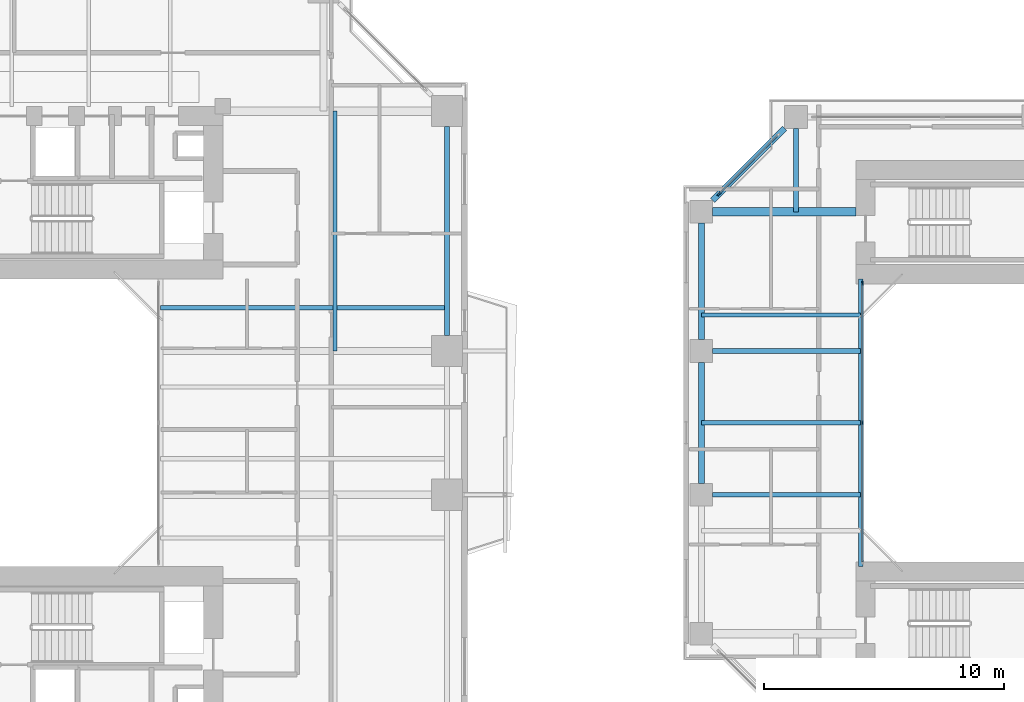
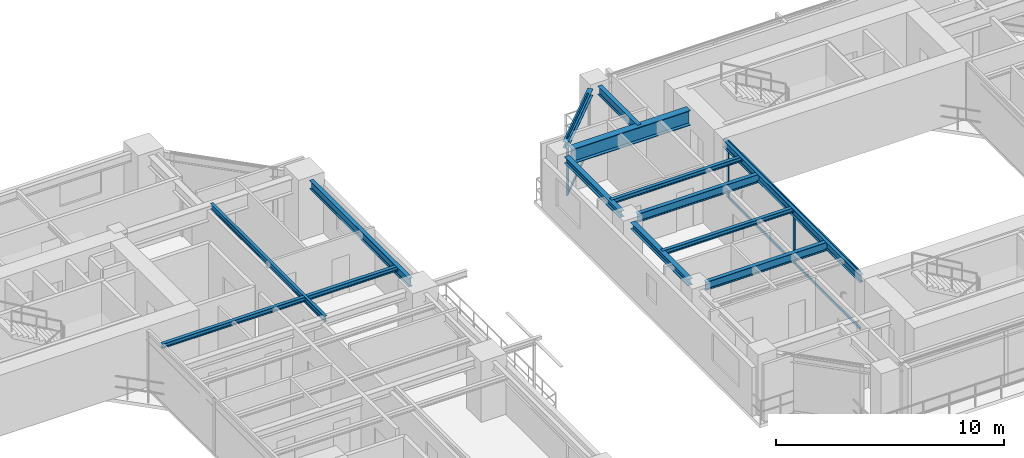
# One storey, part 8 of 23: 13 beams, 9 members, 2 elements without a shape of their own.
"""IFC4 building model written with IfcOpenShell, lengths in metres."""

from ifc_helpers import new_model, si_unit, direction, frame, origin, origin_2d, place, context, subcontext, project, spatial, rectangle, i_section, extrude, source, transform, mapped, material, layer, layer_set, material_profile, profile_set, type_object, element, aggregate, save


model = new_model("IFC4")

# Units and contexts
model_context = context("Model", 3, precision=1e-05, world=origin(), true_north=direction((0.0, 1.0)))
body_context = subcontext(model_context, "Body", "Model", "MODEL_VIEW")
ifc_project = project(units=[si_unit("LENGTHUNIT", "METRE"), si_unit("AREAUNIT", "SQUARE_METRE"), si_unit("VOLUMEUNIT", "CUBIC_METRE"), si_unit("PLANEANGLEUNIT", "RADIAN"), si_unit("MASSUNIT", "GRAM", prefix="KILO"), si_unit("THERMODYNAMICTEMPERATUREUNIT", "KELVIN"), si_unit("POWERUNIT", "WATT")], contexts=[model_context])

# Site, building, storey
site_placement = place(None, origin())
site = spatial("IfcSite", under=ifc_project, at=site_placement, CompositionType="ELEMENT")
building_placement = place(site_placement, origin())
building = spatial("IfcBuilding", under=site, at=building_placement, Name="Qiaomeng Ring Towers", CompositionType="ELEMENT")
storey_placement = place(building_placement, frame((0.0, 0.0, 29.5)))
storey = spatial("IfcBuildingStorey", under=building, at=storey_placement, Name="L07", CompositionType="ELEMENT", Elevation=29.5)

# Beams
ifc_material_1 = material(Name="Steel Q355B", Category="steel")
ifc_material_profile_1 = material_profile(ifc_material_1, i_section(OverallWidth=0.199951171875, OverallDepth=0.449951171875, WebThickness=0.009033203125, FlangeThickness=0.013916015625, FilletRadius=0.01806640625, at=origin_2d()), Name="HN 450x200x9x14")
ifc_profile_set_1 = profile_set([ifc_material_profile_1], Name="Steel Q355B")
beam_type_1 = type_object("IfcBeamType", Name="STR-BM-HN450", PredefinedType="SPANDREL", material=ifc_profile_set_1)
shared_shape_1 = source(origin(), body_context, "Body", "SweptSolid", [
    extrude(i_section(OverallWidth=0.199951171875, OverallDepth=0.449951171875, WebThickness=0.009033203125, FlangeThickness=0.013916015625, FilletRadius=0.01806640625, at=origin_2d()), origin(), (0.0, 0.0, 1.0), 8.7021484375),
])
beam_1_placement = place(storey_placement, frame((37.14990234375, 26.64892578125, 2.844970703125), z_axis=(0.0, 1.0, 0.0), x_axis=(-1.0, 0.0, 0.0)))
element("IfcBeam", 1, at=beam_1_placement, inside=storey, type_object=beam_type_1, Name="L07 beam STR-SP-L07-T1-E3-E4", PredefinedType="SPANDREL", context=body_context, shape_type="MappedRepresentation", body=[
    mapped(shared_shape_1, transform((0.0, 0.0, 0.0), x_axis=(1.0, 0.0, 0.0), y_axis=(0.0, 1.0, 0.0), z_axis=(0.0, 0.0, 1.0), scale=1.0)),
])
ifc_material_profile_2 = material_profile(ifc_material_1, i_section(OverallWidth=0.25, OverallDepth=0.340087890625, WebThickness=0.009033203125, FlangeThickness=0.013916015625, FilletRadius=0.02001953125, at=origin_2d()), Name="HM 340x250x9x14")
ifc_profile_set_2 = profile_set([ifc_material_profile_2], Name="Steel Q355B")
beam_type_2 = type_object("IfcBeamType", Name="STR-BM-HM340", PredefinedType="SPANDREL", material=ifc_profile_set_2)
shared_shape_2 = source(origin(), body_context, "Body", "SweptSolid", [
    extrude(i_section(OverallWidth=0.25, OverallDepth=0.340087890625, WebThickness=0.009033203125, FlangeThickness=0.013916015625, FilletRadius=0.02001953125, at=origin_2d()), origin(), (0.0, 0.0, 1.0), 4.244384765625),
])
beam_2_placement = place(storey_placement, frame((51.2255859375, 35.275634765625, 2.89990234375), z_axis=(-0.707106781187, -0.707106781187, 0.0), x_axis=(0.707106781187, -0.707106781187, 0.0)))
element("IfcBeam", 2, at=beam_2_placement, inside=storey, type_object=beam_type_2, Name="L07 beam STR-SP-L07-T2-N1-W4", PredefinedType="SPANDREL", context=body_context, shape_type="MappedRepresentation", body=[
    mapped(shared_shape_2, transform((0.0, 0.0, 0.0), x_axis=(1.0, 0.0, 0.0), y_axis=(0.0, 1.0, 0.0), z_axis=(0.0, 0.0, 1.0), scale=1.0)),
])
shared_shape_3 = source(origin(), body_context, "Body", "SweptSolid", [
    extrude(i_section(OverallWidth=0.25, OverallDepth=0.340087890625, WebThickness=0.009033203125, FlangeThickness=0.013916015625, FilletRadius=0.02001953125, at=origin_2d()), origin(), (0.0, 0.0, 1.0), 4.851806640625),
])
beam_3_placement = place(storey_placement, frame((47.75, 31.325927734375, 2.89990234375), z_axis=(0.0, -1.0, 0.0), x_axis=(1.0, 0.0, 0.0)))
element("IfcBeam", 3, at=beam_3_placement, inside=storey, type_object=beam_type_2, Name="L07 beam STR-SP-L07-T2-W4-W3", PredefinedType="SPANDREL", context=body_context, shape_type="MappedRepresentation", body=[
    mapped(shared_shape_3, transform((0.0, 0.0, 0.0), x_axis=(1.0, 0.0, 0.0), y_axis=(0.0, 1.0, 0.0), z_axis=(0.0, 0.0, 1.0), scale=1.0)),
])
shared_shape_4 = source(origin(), body_context, "Body", "SweptSolid", [
    extrude(i_section(OverallWidth=0.25, OverallDepth=0.340087890625, WebThickness=0.009033203125, FlangeThickness=0.013916015625, FilletRadius=0.02001953125, at=origin_2d()), origin(), (0.0, 0.0, 1.0), 5.0517578125),
])
beam_4_placement = place(storey_placement, frame((47.75, 25.52587890625, 2.89990234375), z_axis=(0.0, -1.0, 0.0), x_axis=(1.0, 0.0, 0.0)))
element("IfcBeam", 4, at=beam_4_placement, inside=storey, type_object=beam_type_2, Name="L07 beam STR-SP-L07-T2-W3-W2", PredefinedType="SPANDREL", context=body_context, shape_type="MappedRepresentation", body=[
    mapped(shared_shape_4, transform((0.0, 0.0, 0.0), x_axis=(1.0, 0.0, 0.0), y_axis=(0.0, 1.0, 0.0), z_axis=(0.0, 0.0, 1.0), scale=1.0)),
])
ifc_material_profile_3 = material_profile(ifc_material_1, i_section(OverallWidth=0.199951171875, OverallDepth=0.39990234375, WebThickness=0.008056640625, FlangeThickness=0.012939453125, FilletRadius=0.01611328125, at=origin_2d()), Name="HN 400x200x8x13")
ifc_profile_set_3 = profile_set([ifc_material_profile_3], Name="Steel Q355B")
beam_type_3 = type_object("IfcBeamType", Name="STR-BM-HN400", PredefinedType="SPANDREL", material=ifc_profile_set_3)
shared_shape_5 = source(origin(), body_context, "Body", "SweptSolid", [
    extrude(i_section(OverallWidth=0.199951171875, OverallDepth=0.39990234375, WebThickness=0.008056640625, FlangeThickness=0.012939453125, FilletRadius=0.01611328125, at=origin_2d()), origin(), (0.0, 0.0, 1.0), 12.0),
])
beam_5_placement = place(storey_placement, frame((54.39990234375, 17.0, 2.8701171875), z_axis=(0.0, 1.0, 0.0), x_axis=(-1.0, 0.0, 0.0)))
element("IfcBeam", 5, at=beam_5_placement, inside=storey, type_object=beam_type_3, Name="L07 beam STR-BM-L07-T2-WELL-W", PredefinedType="SPANDREL", context=body_context, shape_type="MappedRepresentation", body=[
    mapped(shared_shape_5, transform((0.0, 0.0, 0.0), x_axis=(1.0, 0.0, 0.0), y_axis=(0.0, 1.0, 0.0), z_axis=(0.0, 0.0, 1.0), scale=1.0)),
])
ifc_material_2 = material(Name="Steel Q390GJC", Category="steel")
ifc_material_profile_4 = material_profile(ifc_material_2, i_section(OverallWidth=0.35009765625, OverallDepth=0.800048828125, WebThickness=0.01611328125, FlangeThickness=0.028076171875, at=origin_2d()), Name="WH 800x350x16x28")
ifc_profile_set_4 = profile_set([ifc_material_profile_4], Name="Steel Q390GJC")
beam_type_4 = type_object("IfcBeamType", Name="STR-BM-WH800", PredefinedType="BEAM", material=ifc_profile_set_4)
shared_shape_6 = source(origin(), body_context, "Body", "SweptSolid", [
    extrude(i_section(OverallWidth=0.35009765625, OverallDepth=0.800048828125, WebThickness=0.01611328125, FlangeThickness=0.028076171875, at=origin_2d()), origin(), (0.0, 0.0, 1.0), 5.975830078125),
])
beam_6_placement = place(storey_placement, frame((48.22412109375, 31.800048828125, 2.669921875), z_axis=(1.0, 0.0, 0.0), x_axis=(0.0, 1.0, 0.0)))
element("IfcBeam", 6, at=beam_6_placement, inside=storey, type_object=beam_type_4, Name="L07 beam STR-BM-L07-T2-RAD-W4", PredefinedType="BEAM", context=body_context, shape_type="MappedRepresentation", body=[
    mapped(shared_shape_6, transform((0.0, 0.0, 0.0), x_axis=(1.0, 0.0, 0.0), y_axis=(0.0, 1.0, 0.0), z_axis=(0.0, 0.0, 1.0), scale=1.0)),
])
shared_shape_7 = source(origin(), body_context, "Body", "SweptSolid", [
    extrude(i_section(OverallWidth=0.199951171875, OverallDepth=0.449951171875, WebThickness=0.009033203125, FlangeThickness=0.013916015625, FilletRadius=0.01806640625, at=origin_2d()), origin(), (0.0, 0.0, 1.0), 6.17578125),
])
for number, where, z_axis, x_axis, name in (
    (7, (48.22412109375, 20.0, 2.844970703125), (1.0, 0.0, 0.0), (0.0, 1.0, 0.0), "L07 beam STR-BM-L07-T2-RAD-W2"),
    (8, (48.22412109375, 26.0, 2.844970703125), (1.0, 0.0, 0.0), (0.0, 1.0, 0.0), "L07 beam STR-BM-L07-T2-RAD-W3"),
):
    element("IfcBeam", number, at=place(storey_placement, frame(where, z_axis=z_axis, x_axis=x_axis)), inside=storey, type_object=beam_type_1, Name=name, PredefinedType="SPANDREL", context=body_context, shape_type="MappedRepresentation", body=[
        mapped(shared_shape_7, transform((0.0, 0.0, 0.0), x_axis=(1.0, 0.0, 0.0), y_axis=(0.0, 1.0, 0.0), z_axis=(0.0, 0.0, 1.0), scale=1.0)),
    ])
shared_shape_8 = source(origin(), body_context, "Body", "SweptSolid", [
    extrude(i_section(OverallWidth=0.199951171875, OverallDepth=0.449951171875, WebThickness=0.009033203125, FlangeThickness=0.013916015625, FilletRadius=0.01806640625, at=origin_2d()), origin(), (0.0, 0.0, 1.0), 3.475830078125),
])
beam_7_placement = place(storey_placement, frame((51.699951171875, 35.27587890625, 2.844970703125), z_axis=(0.0, -1.0, 0.0), x_axis=(1.0, 0.0, 0.0)))
element("IfcBeam", 9, at=beam_7_placement, inside=storey, type_object=beam_type_1, Name="L07 beam STR-BM-L07-T2-RAD-N1", PredefinedType="SPANDREL", context=body_context, shape_type="MappedRepresentation", body=[
    mapped(shared_shape_8, transform((0.0, 0.0, 0.0), x_axis=(1.0, 0.0, 0.0), y_axis=(0.0, 1.0, 0.0), z_axis=(0.0, 0.0, 1.0), scale=1.0)),
])
ifc_material_profile_5 = material_profile(ifc_material_1, i_section(OverallWidth=0.175048828125, OverallDepth=0.243896484375, WebThickness=0.007080078125, FlangeThickness=0.010986328125, FilletRadius=0.01611328125, at=origin_2d()), Name="HM 244x175x7x11")
ifc_profile_set_5 = profile_set([ifc_material_profile_5], Name="Steel Q355B")
beam_type_5 = type_object("IfcBeamType", Name="STR-BM-HM244", PredefinedType="JOIST", material=ifc_profile_set_5)
shared_shape_9 = source(origin(), body_context, "Body", "SweptSolid", [
    extrude(i_section(OverallWidth=0.175048828125, OverallDepth=0.243896484375, WebThickness=0.007080078125, FlangeThickness=0.010986328125, FilletRadius=0.01611328125, at=origin_2d()), origin(), (0.0, 0.0, 1.0), 11.949951171875),
])
beam_8_placement = place(storey_placement, frame((25.199951171875, 27.800048828125, 2.947998046875), z_axis=(1.0, 0.0, 0.0), x_axis=(0.0, 1.0, 0.0)))
element("IfcBeam", 10, at=beam_8_placement, inside=storey, type_object=beam_type_5, Name="L07 beam STR-JST-L07-T1E-4", PredefinedType="JOIST", context=body_context, shape_type="MappedRepresentation", body=[
    mapped(shared_shape_9, transform((0.0, 0.0, 0.0), x_axis=(1.0, 0.0, 0.0), y_axis=(0.0, 1.0, 0.0), z_axis=(0.0, 0.0, 1.0), scale=1.0)),
])
ifc_material_profile_6 = material_profile(ifc_material_1, i_section(OverallWidth=0.14990234375, OverallDepth=0.300048828125, WebThickness=0.006591796875, FlangeThickness=0.009033203125, FilletRadius=0.012939453125, at=origin_2d()), Name="HN 300x150x6.5x9")
ifc_profile_set_6 = profile_set([ifc_material_profile_6], Name="Steel Q355B")
beam_type_6 = type_object("IfcBeamType", Name="STR-BM-HN300", PredefinedType="JOIST", material=ifc_profile_set_6)
shared_shape_10 = source(origin(), body_context, "Body", "SweptSolid", [
    extrude(i_section(OverallWidth=0.14990234375, OverallDepth=0.300048828125, WebThickness=0.006591796875, FlangeThickness=0.009033203125, FilletRadius=0.012939453125, at=origin_2d()), origin(), (0.0, 0.0, 1.0), 10.0),
])
beam_9_placement = place(storey_placement, frame((32.47509765625, 26.0, 2.919921875), z_axis=(0.0, 1.0, 0.0), x_axis=(-1.0, 0.0, 0.0)))
element("IfcBeam", 11, at=beam_9_placement, inside=storey, type_object=beam_type_6, Name="L07 beam STR-JST-L07-T1C-EN", PredefinedType="JOIST", context=body_context, shape_type="MappedRepresentation", body=[
    mapped(shared_shape_10, transform((0.0, 0.0, 0.0), x_axis=(1.0, 0.0, 0.0), y_axis=(0.0, 1.0, 0.0), z_axis=(0.0, 0.0, 1.0), scale=1.0)),
])
shared_shape_11 = source(origin(), body_context, "Body", "SweptSolid", [
    extrude(i_section(OverallWidth=0.175048828125, OverallDepth=0.243896484375, WebThickness=0.007080078125, FlangeThickness=0.010986328125, FilletRadius=0.01611328125, at=origin_2d()), origin(), (0.0, 0.0, 1.0), 6.64990234375),
])
for number, where, z_axis, x_axis, name in (
    (12, (47.75, 23.0, 2.947998046875), (1.0, 0.0, 0.0), (0.0, 1.0, 0.0), "L07 beam STR-JST-L07-T2W-2"),
    (13, (47.75, 27.5, 2.947998046875), (1.0, 0.0, 0.0), (0.0, 1.0, 0.0), "L07 beam STR-JST-L07-T2W-3"),
):
    element("IfcBeam", number, at=place(storey_placement, frame(where, z_axis=z_axis, x_axis=x_axis)), inside=storey, type_object=beam_type_5, Name=name, PredefinedType="JOIST", context=body_context, shape_type="MappedRepresentation", body=[
        mapped(shared_shape_11, transform((0.0, 0.0, 0.0), x_axis=(1.0, 0.0, 0.0), y_axis=(0.0, 1.0, 0.0), z_axis=(0.0, 0.0, 1.0), scale=1.0)),
    ])

# Curtain wall, members
ifc_material_3 = material(Name="Fluorocarbon dark-grey aluminium", Category="aluminium")
ifc_layer_1 = layer(ifc_material_3, 0.139892578125, Name="Fluorocarbon dark-grey aluminium")
ifc_layer_set_1 = layer_set([ifc_layer_1], Name="Fluorocarbon dark-grey aluminium")
curtain_wall_type_1 = type_object("IfcCurtainWallType", Name="ARC-CW-4", PredefinedType="NOTDEFINED", material=ifc_layer_set_1)
curtain_wall_1_placement = place(storey_placement, origin())
curtain_wall_1 = element("IfcCurtainWall", 14, at=curtain_wall_1_placement, inside=storey, type_object=curtain_wall_type_1, Name="L07 Curtain Wall CW4", PredefinedType="NOTDEFINED")
ifc_material_profile_7 = material_profile(ifc_material_3, rectangle(XDim=0.06494140625, YDim=0.159912109375, at=origin_2d()), Name="ALU MULL 65x160")
ifc_profile_set_7 = profile_set([ifc_material_profile_7], Name="Fluorocarbon dark-grey aluminium")
member_type_1 = type_object("IfcMemberType", Name="ARC-CWM-140", PredefinedType="MULLION", material=ifc_profile_set_7)
shared_shape_12 = source(origin(), body_context, "Body", "SweptSolid", [
    extrude(rectangle(XDim=0.06494140625, YDim=0.159912109375, at=origin_2d()), origin(), (0.0, 0.0, 1.0), 3.070068359375),
])
member_1_placement = place(storey_placement, frame((54.47998046875, 23.0, 0.0), z_axis=(0.0, 0.0, 1.0), x_axis=(-1.0, 0.0, 0.0)))
member_1 = element("IfcMember", 15, at=member_1_placement, type_object=member_type_1, Name="CW4 mullion 2", PredefinedType="MULLION", context=body_context, shape_type="MappedRepresentation", body=[
    mapped(shared_shape_12, transform((0.0, 0.0, 0.0), x_axis=(1.0, 0.0, 0.0), y_axis=(0.0, 1.0, 0.0), z_axis=(0.0, 0.0, 1.0), scale=1.0)),
])
member_2_placement = place(storey_placement, frame((54.47998046875, 28.8173828125, 0.0), z_axis=(0.0, 0.0, 1.0), x_axis=(-1.0, 0.0, 0.0)))
member_2 = element("IfcMember", 16, at=member_2_placement, type_object=member_type_1, Name="CW4 mullion 3", PredefinedType="MULLION", context=body_context, shape_type="MappedRepresentation", body=[
    mapped(shared_shape_12, transform((0.0, 0.0, 0.0), x_axis=(1.0, 0.0, 0.0), y_axis=(0.0, 1.0, 0.0), z_axis=(0.0, 0.0, 1.0), scale=1.0)),
])
ifc_material_profile_8 = material_profile(ifc_material_3, rectangle(XDim=0.06494140625, YDim=0.1298828125, at=origin_2d()), Name="ALU TRAN 65x130")
ifc_profile_set_8 = profile_set([ifc_material_profile_8], Name="Fluorocarbon dark-grey aluminium")
member_type_2 = type_object("IfcMemberType", Name="ARC-CWT-120", PredefinedType="USERDEFINED", material=ifc_profile_set_8)
shared_shape_13 = source(origin(), body_context, "Body", "SweptSolid", [
    extrude(rectangle(XDim=0.06494140625, YDim=0.1298828125, at=origin_2d()), origin(), (0.0, 0.0, 1.0), 5.75244140625),
])
member_3_placement = place(storey_placement, frame((54.47998046875, 17.215087890625, 0.032470703125), z_axis=(0.0, 1.0, 0.0), x_axis=(-1.0, 0.0, 0.0)))
member_3 = element("IfcMember", 17, at=member_3_placement, type_object=member_type_2, Name="CW4 transom 1.1", ObjectType="TRANSOM", PredefinedType="USERDEFINED", context=body_context, shape_type="MappedRepresentation", body=[
    mapped(shared_shape_13, transform((0.0, 0.0, 0.0), x_axis=(1.0, 0.0, 0.0), y_axis=(0.0, 1.0, 0.0), z_axis=(0.0, 0.0, 1.0), scale=1.0)),
])
member_4_placement = place(storey_placement, frame((54.47998046875, 17.215087890625, 3.03759765625), z_axis=(0.0, 1.0, 0.0), x_axis=(-1.0, 0.0, 0.0)))
member_4 = element("IfcMember", 18, at=member_4_placement, type_object=member_type_2, Name="CW4 transom 1.2", ObjectType="TRANSOM", PredefinedType="USERDEFINED", context=body_context, shape_type="MappedRepresentation", body=[
    mapped(shared_shape_13, transform((0.0, 0.0, 0.0), x_axis=(1.0, 0.0, 0.0), y_axis=(0.0, 1.0, 0.0), z_axis=(0.0, 0.0, 1.0), scale=1.0)),
])
member_5_placement = place(storey_placement, frame((54.47998046875, 23.032470703125, 0.032470703125), z_axis=(0.0, 1.0, 0.0), x_axis=(-1.0, 0.0, 0.0)))
member_5 = element("IfcMember", 19, at=member_5_placement, type_object=member_type_2, Name="CW4 transom 2.1", ObjectType="TRANSOM", PredefinedType="USERDEFINED", context=body_context, shape_type="MappedRepresentation", body=[
    mapped(shared_shape_13, transform((0.0, 0.0, 0.0), x_axis=(1.0, 0.0, 0.0), y_axis=(0.0, 1.0, 0.0), z_axis=(0.0, 0.0, 1.0), scale=1.0)),
])
member_6_placement = place(storey_placement, frame((54.47998046875, 23.032470703125, 3.03759765625), z_axis=(0.0, 1.0, 0.0), x_axis=(-1.0, 0.0, 0.0)))
member_6 = element("IfcMember", 20, at=member_6_placement, type_object=member_type_2, Name="CW4 transom 2.2", ObjectType="TRANSOM", PredefinedType="USERDEFINED", context=body_context, shape_type="MappedRepresentation", body=[
    mapped(shared_shape_13, transform((0.0, 0.0, 0.0), x_axis=(1.0, 0.0, 0.0), y_axis=(0.0, 1.0, 0.0), z_axis=(0.0, 0.0, 1.0), scale=1.0)),
])
aggregate(curtain_wall_1, [member_1, member_2, member_3, member_4, member_5, member_6])

ifc_layer_2 = layer(ifc_material_3, 0.14990234375, Name="Fluorocarbon dark-grey aluminium")
ifc_layer_set_2 = layer_set([ifc_layer_2], Name="Fluorocarbon dark-grey aluminium")
curtain_wall_type_2 = type_object("IfcCurtainWallType", Name="ARC-CW-5", PredefinedType="NOTDEFINED", material=ifc_layer_set_2)
curtain_wall_2_placement = place(storey_placement, origin())
curtain_wall_2 = element("IfcCurtainWall", 21, at=curtain_wall_2_placement, inside=storey, type_object=curtain_wall_type_2, Name="L07 Curtain Wall CW5", PredefinedType="NOTDEFINED")
ifc_material_profile_9 = material_profile(ifc_material_3, rectangle(XDim=0.070068359375, YDim=0.179931640625, at=origin_2d()), Name="ALU MULL 70x180")
ifc_profile_set_9 = profile_set([ifc_material_profile_9], Name="Fluorocarbon dark-grey aluminium")
member_type_3 = type_object("IfcMemberType", Name="ARC-CWM-160", PredefinedType="MULLION", material=ifc_profile_set_9)
shared_shape_14 = source(origin(), body_context, "Body", "SweptSolid", [
    extrude(rectangle(XDim=0.070068359375, YDim=0.179931640625, at=origin_2d()), origin(), (0.0, 0.0, 1.0), 3.070068359375),
])
member_7_placement = place(storey_placement, frame((48.48974609375, 32.539794921875, 0.0), z_axis=(0.0, 0.0, 1.0), x_axis=(0.707106781187, -0.707106781187, 0.0)))
member_7 = element("IfcMember", 22, at=member_7_placement, type_object=member_type_3, Name="CW5 mullion 2", PredefinedType="MULLION", context=body_context, shape_type="MappedRepresentation", body=[
    mapped(shared_shape_14, transform((0.0, 0.0, 0.0), x_axis=(1.0, 0.0, 0.0), y_axis=(0.0, 1.0, 0.0), z_axis=(0.0, 0.0, 1.0), scale=1.0)),
])
shared_shape_15 = source(origin(), body_context, "Body", "SweptSolid", [
    extrude(rectangle(XDim=0.06494140625, YDim=0.1298828125, at=origin_2d()), origin(), (0.0, 0.0, 1.0), 3.424072265625),
])
member_8_placement = place(storey_placement, frame((50.935546875, 34.985595703125, 0.032470703125), z_axis=(-0.707106781187, -0.707106781187, 0.0), x_axis=(0.707106781187, -0.707106781187, 0.0)))
member_8 = element("IfcMember", 23, at=member_8_placement, type_object=member_type_2, Name="CW5 transom 1.1", ObjectType="TRANSOM", PredefinedType="USERDEFINED", context=body_context, shape_type="MappedRepresentation", body=[
    mapped(shared_shape_15, transform((0.0, 0.0, 0.0), x_axis=(1.0, 0.0, 0.0), y_axis=(0.0, 1.0, 0.0), z_axis=(0.0, 0.0, 1.0), scale=1.0)),
])
member_9_placement = place(storey_placement, frame((50.935546875, 34.985595703125, 3.03759765625), z_axis=(-0.707106781187, -0.707106781187, 0.0), x_axis=(0.707106781187, -0.707106781187, 0.0)))
member_9 = element("IfcMember", 24, at=member_9_placement, type_object=member_type_2, Name="CW5 transom 1.2", ObjectType="TRANSOM", PredefinedType="USERDEFINED", context=body_context, shape_type="MappedRepresentation", body=[
    mapped(shared_shape_15, transform((0.0, 0.0, 0.0), x_axis=(1.0, 0.0, 0.0), y_axis=(0.0, 1.0, 0.0), z_axis=(0.0, 0.0, 1.0), scale=1.0)),
])
aggregate(curtain_wall_2, [member_7, member_8, member_9])

save(model, "model.ifc")
